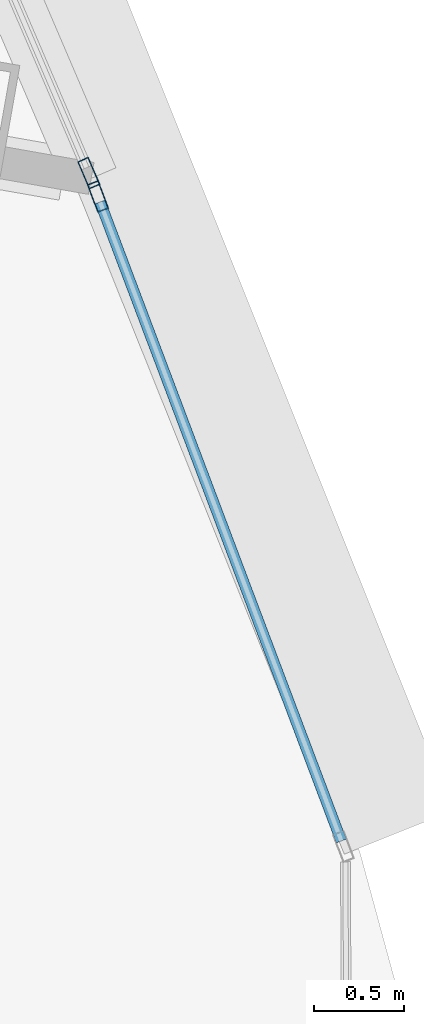
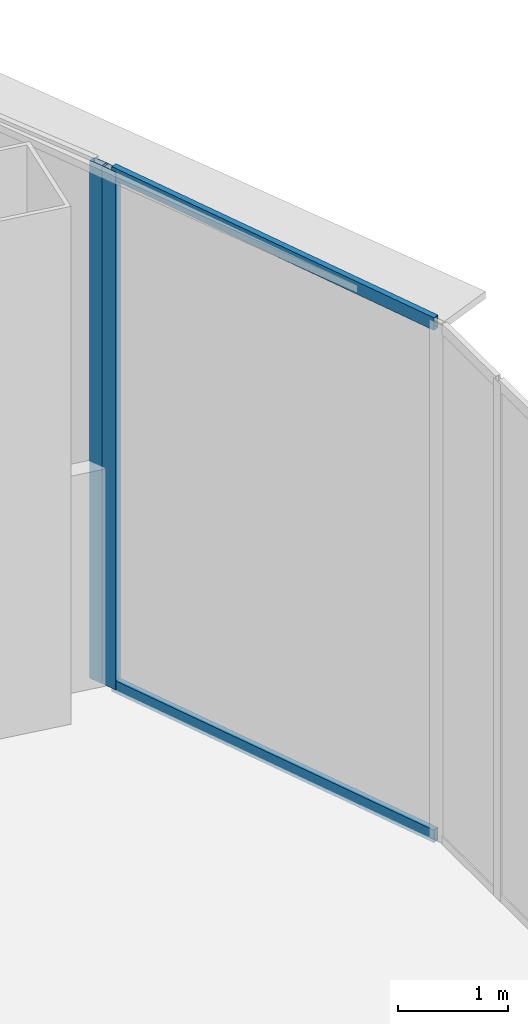
# One storey, part 23 of 41: 4 members, 2 elements without a shape of their own.
"""IFC4 building model written with IfcOpenShell, lengths in metres."""

from ifc_helpers import new_model, si_unit, direction, frame, origin, origin_2d, place, context, subcontext, project, spatial, hollow_rectangle, extrude, source, transform, mapped, material, layer, layer_set, material_profile, profile_set, type_object, element, aggregate, save


model = new_model("IFC4")

# Units and contexts
model_context = context("Model", 3, precision=1e-05, world=origin(), true_north=direction((0.0, 1.0)))
body_context = subcontext(model_context, "Body", "Model", "MODEL_VIEW")
ifc_project = project(units=[si_unit("LENGTHUNIT", "METRE"), si_unit("AREAUNIT", "SQUARE_METRE"), si_unit("VOLUMEUNIT", "CUBIC_METRE"), si_unit("PLANEANGLEUNIT", "RADIAN"), si_unit("MASSUNIT", "GRAM", prefix="KILO"), si_unit("THERMODYNAMICTEMPERATUREUNIT", "KELVIN"), si_unit("POWERUNIT", "WATT")], contexts=[model_context])

# Site, building, storey
site_placement = place(None, origin())
site = spatial("IfcSite", under=ifc_project, at=site_placement, CompositionType="ELEMENT")
building_placement = place(site_placement, origin())
building = spatial("IfcBuilding", under=site, at=building_placement, Name="Yunzhuo Pagoda Commons", CompositionType="ELEMENT")
storey_placement = place(building_placement, frame((0.0, 0.0, 70.330078125)))
storey = spatial("IfcBuildingStorey", under=building, at=storey_placement, Name="L18", CompositionType="ELEMENT", Elevation=70.330078125)

# Curtain wall, members
ifc_material = material(Name="Anodized aluminium 6063-T6", Category="aluminium")
ifc_layer = layer(ifc_material, 0.1650390625)
ifc_layer_set = layer_set([ifc_layer], Name="Anodized aluminium 6063-T6")
curtain_wall_type = type_object("IfcCurtainWallType", Name="CW-LOW Low-Zone Ribbon Curtain Wall", PredefinedType="NOTDEFINED", material=ifc_layer_set)
curtain_wall_1_placement = place(storey_placement, origin())
curtain_wall_1 = element("IfcCurtainWall", 1, at=curtain_wall_1_placement, inside=storey, type_object=curtain_wall_type, Name="L18 curtain wall CW-L18-F2B1", PredefinedType="NOTDEFINED")
ifc_material_profile_1 = material_profile(ifc_material, hollow_rectangle(XDim=0.06005859375, YDim=0.139892578125, WallThickness=0.00341796875, at=origin_2d()), Name="Anodized aluminium 6063-T6")
ifc_profile_set_1 = profile_set([ifc_material_profile_1], Name="Anodized aluminium 6063-T6")
member_type_1 = type_object("IfcMemberType", Name="CW-LOW-T Transom RHS 140x60x3.5", PredefinedType="USERDEFINED", material=ifc_profile_set_1)
shared_shape_1 = source(origin(), body_context, "Body", "SweptSolid", [
    extrude(hollow_rectangle(XDim=0.06005859375, YDim=0.139892578125, WallThickness=0.00341796875, at=origin_2d()), origin(), (0.0, 0.0, 1.0), 3.80126953125),
])
member_1_placement = place(storey_placement, frame((90.47412109375, 22.76904296875, 0.030029296875), z_axis=(-0.353248184637, 0.935529646805, 0.0), x_axis=(-0.935529646805, -0.353248184637, 0.0)))
member_1 = element("IfcMember", 2, at=member_1_placement, type_object=member_type_1, Name="CW transom 1.1", ObjectType="TRANSOM", PredefinedType="USERDEFINED", context=body_context, shape_type="MappedRepresentation", body=[
    mapped(shared_shape_1, transform((0.0, 0.0, 0.0), scale=1.0)),
])
member_2_placement = place(storey_placement, frame((90.47412109375, 22.76904296875, 5.739990234375), z_axis=(-0.353248184637, 0.935529646805, 0.0), x_axis=(-0.935529646805, -0.353248184637, 0.0)))
member_2 = element("IfcMember", 3, at=member_2_placement, type_object=member_type_1, Name="CW transom 1.2", ObjectType="TRANSOM", PredefinedType="USERDEFINED", context=body_context, shape_type="MappedRepresentation", body=[
    mapped(shared_shape_1, transform((0.0, 0.0, 0.0), scale=1.0)),
])

# Curtain wall, member
curtain_wall_2_placement = place(storey_placement, origin())
curtain_wall_2 = element("IfcCurtainWall", 4, at=curtain_wall_2_placement, inside=storey, type_object=curtain_wall_type, Name="L18 curtain wall CW-L18-F2B2", PredefinedType="NOTDEFINED")
ifc_material_profile_2 = material_profile(ifc_material, hollow_rectangle(XDim=0.06494140625, YDim=0.1650390625, WallThickness=0.00390625, at=origin_2d()), Name="Anodized aluminium 6063-T6")
ifc_profile_set_2 = profile_set([ifc_material_profile_2], Name="Anodized aluminium 6063-T6")
member_type_2 = type_object("IfcMemberType", Name="CW-LOW-M Mullion RHS 165x65x4", PredefinedType="MULLION", material=ifc_profile_set_2)
shared_shape_2 = source(origin(), body_context, "Body", "SweptSolid", [
    extrude(hollow_rectangle(XDim=0.06494140625, YDim=0.1650390625, WallThickness=0.00390625, at=origin_2d()), origin(), (0.0, 0.0, 1.0), 5.77001953125),
])
member_3_placement = place(storey_placement, frame((89.06884765625, 26.486083984375, 0.0), z_axis=(0.0, 0.0, 1.0), x_axis=(-0.919121093161, -0.39397514656, 0.0)))
member_3 = element("IfcMember", 5, at=member_3_placement, type_object=member_type_2, Name="CW mullion 1", PredefinedType="MULLION", context=body_context, shape_type="MappedRepresentation", body=[
    mapped(shared_shape_2, transform((0.0, 0.0, 0.0), scale=1.0)),
])
aggregate(curtain_wall_2, [member_3])

# Member
member_4_placement = place(storey_placement, frame((89.11962890625, 26.355712890625, 0.0), z_axis=(0.0, 0.0, 1.0), x_axis=(-0.9355133863, -0.353291245367, 0.0)))
member_4 = element("IfcMember", 6, at=member_4_placement, type_object=member_type_2, Name="CW mullion 2", PredefinedType="MULLION", context=body_context, shape_type="MappedRepresentation", body=[
    mapped(shared_shape_2, transform((0.0, 0.0, 0.0), scale=1.0)),
])

aggregate(curtain_wall_1, [member_4, member_1, member_2])

save(model, "model.ifc")
